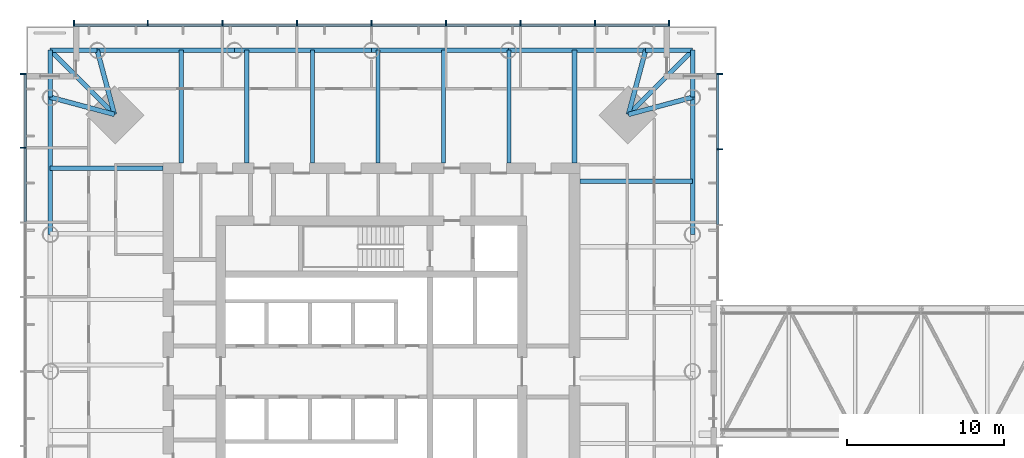
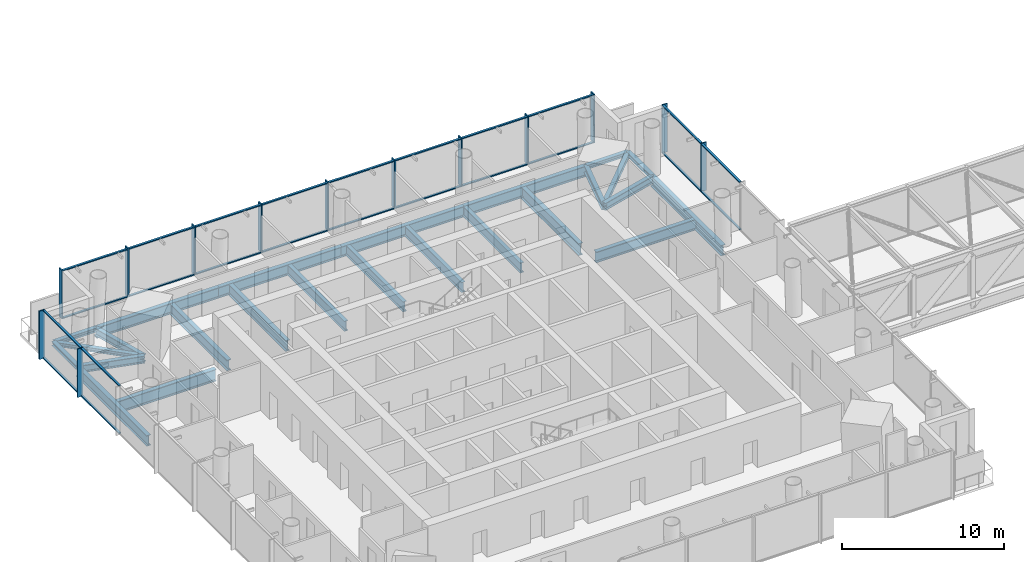
# One storey, part 7 of 19: 37 members, 25 beams, 3 elements without a shape of their own.
"""IFC4 building model written with IfcOpenShell, lengths in metres."""

from ifc_helpers import new_model, si_unit, direction, frame, origin, origin_2d, place, context, subcontext, project, spatial, rectangle, i_section, extrude, material, material_profile, profile_set, type_object, element, aggregate, save


model = new_model("IFC4")

# Units and contexts
model_context = context("Model", 3, precision=1e-05, world=origin(), true_north=direction((0.0, 1.0)))
body_context = subcontext(model_context, "Body", "Model", "MODEL_VIEW")
ifc_project = project(units=[si_unit("LENGTHUNIT", "METRE"), si_unit("AREAUNIT", "SQUARE_METRE"), si_unit("VOLUMEUNIT", "CUBIC_METRE"), si_unit("PLANEANGLEUNIT", "RADIAN"), si_unit("MASSUNIT", "GRAM", prefix="KILO")], contexts=[model_context])

# Site, building, storey
site_placement = place(None, origin())
site = spatial("IfcSite", under=ifc_project, at=site_placement, CompositionType="ELEMENT")
building_placement = place(site_placement, origin())
building = spatial("IfcBuilding", under=site, at=building_placement, Name="Ostroluk Exchange", CompositionType="ELEMENT")
storey_placement = place(building_placement, frame((0.0, 0.0, 131.199951171875)))
storey = spatial("IfcBuildingStorey", under=building, at=storey_placement, Name="L33", CompositionType="ELEMENT", Elevation=131.199951171875)

# Beams
ifc_material_1 = material(Name="Steel S355", Category="steel")
ifc_material_profile_1 = material_profile(ifc_material_1, i_section(OverallWidth=0.300048828125, OverallDepth=0.300048828125, WebThickness=0.010986328125, FlangeThickness=0.01904296875, FilletRadius=0.027099609375, at=origin_2d()), Name="HEB 300")
ifc_profile_set_1 = profile_set([ifc_material_profile_1], Name="Steel S355")
beam_type_1 = type_object("IfcBeamType", Name="Balcony beam HEB 300", PredefinedType="BEAM", material=ifc_profile_set_1)
for number, where, z_axis, x_axis, name in (
    (1, (65.478515625, 63.478515625, -0.329833984375), (0.0, 1.0, 0.0), (-1.0, 0.0, 0.0), "T1 east balcony beam a"),
    (2, (62.478515625, 66.478515625, -0.329833984375), (1.0, 0.0, 0.0), (0.0, 1.0, 0.0), "T1 east balcony beam b"),
):
    element("IfcBeam", number, at=place(storey_placement, frame(where, z_axis=z_axis, x_axis=x_axis)), inside=storey, type_object=beam_type_1, Name=name, PredefinedType="BEAM", context=body_context, shape_type="SweptSolid", body=[
        extrude(i_section(OverallWidth=0.300048828125, OverallDepth=0.300048828125, WebThickness=0.010986328125, FlangeThickness=0.01904296875, FilletRadius=0.027099609375, at=origin_2d()), origin(), (0.0, 0.0, 1.0), 3.0),
    ])
beam_1_placement = place(storey_placement, frame((61.378662109375, 62.378662109375, -0.329833984375), z_axis=(0.707106781187, 0.707106781187, 0.0), x_axis=(-0.707106781187, 0.707106781187, 0.0)))
element("IfcBeam", 3, at=beam_1_placement, inside=storey, type_object=beam_type_1, Name="T1 east balcony beam c", PredefinedType="BEAM", context=body_context, shape_type="SweptSolid", body=[
    extrude(i_section(OverallWidth=0.300048828125, OverallDepth=0.300048828125, WebThickness=0.010986328125, FlangeThickness=0.01904296875, FilletRadius=0.027099609375, at=origin_2d()), origin(), (0.0, 0.0, 1.0), 5.798095703125),
])
for number, where, z_axis, x_axis, name in (
    (4, (27.521484375, 66.478515625, -0.329833984375), (-1.0, 0.0, 0.0), (0.0, -1.0, 0.0), "T1 north balcony beam a"),
    (5, (24.521484375, 63.478515625, -0.329833984375), (0.0, 1.0, 0.0), (-1.0, 0.0, 0.0), "T1 north balcony beam b"),
):
    element("IfcBeam", number, at=place(storey_placement, frame(where, z_axis=z_axis, x_axis=x_axis)), inside=storey, type_object=beam_type_1, Name=name, PredefinedType="BEAM", context=body_context, shape_type="SweptSolid", body=[
        extrude(i_section(OverallWidth=0.300048828125, OverallDepth=0.300048828125, WebThickness=0.010986328125, FlangeThickness=0.01904296875, FilletRadius=0.027099609375, at=origin_2d()), origin(), (0.0, 0.0, 1.0), 3.0),
    ])
beam_2_placement = place(storey_placement, frame((28.621337890625, 62.378662109375, -0.329833984375), z_axis=(-0.707106781187, 0.707106781187, 0.0), x_axis=(-0.707106781187, -0.707106781187, 0.0)))
element("IfcBeam", 6, at=beam_2_placement, inside=storey, type_object=beam_type_1, Name="T1 north balcony beam c", PredefinedType="BEAM", context=body_context, shape_type="SweptSolid", body=[
    extrude(i_section(OverallWidth=0.300048828125, OverallDepth=0.300048828125, WebThickness=0.010986328125, FlangeThickness=0.01904296875, FilletRadius=0.027099609375, at=origin_2d()), origin(), (0.0, 0.0, 1.0), 5.798095703125),
])
ifc_material_2 = material(Name="Steel S355", Category="steel")
ifc_material_profile_2 = material_profile(ifc_material_2, i_section(OverallWidth=0.300048828125, OverallDepth=0.550048828125, WebThickness=0.014892578125, FlangeThickness=0.029052734375, FilletRadius=0.027099609375, at=origin_2d()), Name="HEB 550")
ifc_profile_set_2 = profile_set([ifc_material_profile_2], Name="Steel S355")
beam_type_2 = type_object("IfcBeamType", Name="Corner edge beam HEB 550", PredefinedType="SPANDREL", material=ifc_profile_set_2)
for number, where, z_axis, x_axis, name in (
    (7, (61.378662109375, 62.378662109375, -0.454833984375), (0.965849156574, 0.259105011038, 0.0), (-0.259105011038, 0.965849156574, 0.0), "T1 east corner edge beam a"),
    (8, (61.378662109375, 62.378662109375, -0.454833984375), (0.259105011038, 0.965849156574, 0.0), (-0.965849156574, 0.259105011038, 0.0), "T1 east corner edge beam b"),
    (9, (28.621337890625, 62.378662109375, -0.454833984375), (-0.259105011038, 0.965849156574, 0.0), (-0.965849156574, -0.259105011038, 0.0), "T1 north corner edge beam a"),
    (10, (28.621337890625, 62.378662109375, -0.454833984375), (-0.965849156574, 0.259105011038, 0.0), (-0.259105011038, -0.965849156574, 0.0), "T1 north corner edge beam b"),
):
    element("IfcBeam", number, at=place(storey_placement, frame(where, z_axis=z_axis, x_axis=x_axis)), inside=storey, type_object=beam_type_2, Name=name, PredefinedType="SPANDREL", context=body_context, shape_type="SweptSolid", body=[
        extrude(i_section(OverallWidth=0.300048828125, OverallDepth=0.550048828125, WebThickness=0.014892578125, FlangeThickness=0.029052734375, FilletRadius=0.027099609375, at=origin_2d()), origin(), (0.0, 0.0, 1.0), 4.244873046875),
    ])
ifc_material_3 = material(Name="Steel S355", Category="steel")
ifc_material_profile_3 = material_profile(ifc_material_3, i_section(OverallWidth=0.302978515625, OverallDepth=0.81396484375, WebThickness=0.02099609375, FlangeThickness=0.0400390625, FilletRadius=0.030029296875, at=origin_2d()), Name="HEM 800")
ifc_profile_set_3 = profile_set([ifc_material_profile_3], Name="Steel S355")
beam_type_3 = type_object("IfcBeamType", Name="Floor beam HEM 800", PredefinedType="BEAM", material=ifc_profile_set_3)
for number, where, z_axis, x_axis, name in (
    (11, (58.300048828125, 58.121337890625, -0.5869140625), (1.0, 0.0, 0.0), (0.0, 1.0, 0.0), "T1 east floor beam 6"),
    (12, (37.05712890625, 59.300048828125, -0.5869140625), (0.0, 1.0, 0.0), (-1.0, 0.0, 0.0), "T1 north floor beam 5"),
    (13, (32.878662109375, 59.300048828125, -0.5869140625), (0.0, 1.0, 0.0), (-1.0, 0.0, 0.0), "T1 north floor beam 6"),
):
    element("IfcBeam", number, at=place(storey_placement, frame(where, z_axis=z_axis, x_axis=x_axis)), inside=storey, type_object=beam_type_3, Name=name, PredefinedType="BEAM", context=body_context, shape_type="SweptSolid", body=[
        extrude(i_section(OverallWidth=0.302978515625, OverallDepth=0.81396484375, WebThickness=0.02099609375, FlangeThickness=0.0400390625, FilletRadius=0.030029296875, at=origin_2d()), origin(), (0.0, 0.0, 1.0), 7.178466796875),
    ])
ifc_material_4 = material(Name="Steel S355", Category="steel")
ifc_material_profile_4 = material_profile(ifc_material_4, i_section(OverallWidth=0.26708984375, OverallDepth=0.761962890625, WebThickness=0.014404296875, FlangeThickness=0.021484375, FilletRadius=0.01708984375, at=origin_2d()), Name="IPE 750x173")
ifc_profile_set_4 = profile_set([ifc_material_profile_4], Name="Steel S355")
beam_type_4 = type_object("IfcBeamType", Name="Floor beam IPE 750x173", PredefinedType="BEAM", material=ifc_profile_set_4)
for number, where, z_axis, x_axis, name in (
    (14, (53.771484375, 59.300048828125, -0.56103515625), (0.0, 1.0, 0.0), (-1.0, 0.0, 0.0), "T1 north floor beam 1"),
    (15, (49.5927734375, 59.300048828125, -0.56103515625), (0.0, 1.0, 0.0), (-1.0, 0.0, 0.0), "T1 north floor beam 2"),
    (16, (45.414306640625, 59.300048828125, -0.56103515625), (0.0, 1.0, 0.0), (-1.0, 0.0, 0.0), "T1 north floor beam 3"),
    (17, (41.235595703125, 59.300048828125, -0.56103515625), (0.0, 1.0, 0.0), (-1.0, 0.0, 0.0), "T1 north floor beam 4"),
):
    element("IfcBeam", number, at=place(storey_placement, frame(where, z_axis=z_axis, x_axis=x_axis)), inside=storey, type_object=beam_type_4, Name=name, PredefinedType="BEAM", context=body_context, shape_type="SweptSolid", body=[
        extrude(i_section(OverallWidth=0.26708984375, OverallDepth=0.761962890625, WebThickness=0.014404296875, FlangeThickness=0.021484375, FilletRadius=0.01708984375, at=origin_2d()), origin(), (0.0, 0.0, 1.0), 7.178466796875),
    ])
ifc_material_5 = material(Name="Steel S355", Category="steel")
ifc_material_profile_5 = material_profile(ifc_material_5, i_section(OverallWidth=0.300048828125, OverallDepth=0.89990234375, WebThickness=0.0185546875, FlangeThickness=0.034912109375, FilletRadius=0.030029296875, at=origin_2d()), Name="HEB 900")
ifc_profile_set_5 = profile_set([ifc_material_profile_5], Name="Steel S355")
beam_type_5 = type_object("IfcBeamType", Name="Girder HEB 900", PredefinedType="BEAM", material=ifc_profile_set_5)
for number, where, z_axis, x_axis, name in (
    (18, (57.949951171875, 59.300048828125, -0.6298828125), (0.0, 1.0, 0.0), (-1.0, 0.0, 0.0), "T1 east girder"),
    (19, (31.699951171875, 58.949951171875, -0.6298828125), (-1.0, 0.0, 0.0), (0.0, -1.0, 0.0), "T1 north girder"),
):
    element("IfcBeam", number, at=place(storey_placement, frame(where, z_axis=z_axis, x_axis=x_axis)), inside=storey, type_object=beam_type_5, Name=name, PredefinedType="BEAM", context=body_context, shape_type="SweptSolid", body=[
        extrude(i_section(OverallWidth=0.300048828125, OverallDepth=0.89990234375, WebThickness=0.0185546875, FlangeThickness=0.034912109375, FilletRadius=0.030029296875, at=origin_2d()), origin(), (0.0, 0.0, 1.0), 7.178466796875),
    ])
ifc_material_6 = material(Name="Steel S355", Category="steel")
ifc_material_profile_6 = material_profile(ifc_material_6, i_section(OverallWidth=0.300048828125, OverallDepth=0.800048828125, WebThickness=0.017578125, FlangeThickness=0.032958984375, FilletRadius=0.030029296875, at=origin_2d()), Name="HEB 800")
ifc_profile_set_6 = profile_set([ifc_material_profile_6], Name="Steel S355")
beam_type_6 = type_object("IfcBeamType", Name="Moment-connected edge beam HEB 800", PredefinedType="SPANDREL", material=ifc_profile_set_6)
for number, where, z_axis, x_axis, name in (
    (20, (65.478515625, 54.7392578125, -0.579833984375), (0.0, 1.0, 0.0), (-1.0, 0.0, 0.0), "T1 east edge beam 4"),
    (21, (62.478515625, 66.478515625, -0.579833984375), (-1.0, 0.0, 0.0), (0.0, -1.0, 0.0), "T1 north edge beam 1"),
    (22, (53.7392578125, 66.478515625, -0.579833984375), (-1.0, 0.0, 0.0), (0.0, -1.0, 0.0), "T1 north edge beam 2"),
    (23, (45.0, 66.478515625, -0.579833984375), (-1.0, 0.0, 0.0), (0.0, -1.0, 0.0), "T1 north edge beam 3"),
    (24, (36.2607421875, 66.478515625, -0.579833984375), (-1.0, 0.0, 0.0), (0.0, -1.0, 0.0), "T1 north edge beam 4"),
    (25, (24.521484375, 63.478515625, -0.579833984375), (0.0, -1.0, 0.0), (1.0, 0.0, 0.0), "T1 west edge beam 1"),
):
    element("IfcBeam", number, at=place(storey_placement, frame(where, z_axis=z_axis, x_axis=x_axis)), inside=storey, type_object=beam_type_6, Name=name, PredefinedType="SPANDREL", context=body_context, shape_type="SweptSolid", body=[
        extrude(i_section(OverallWidth=0.300048828125, OverallDepth=0.800048828125, WebThickness=0.017578125, FlangeThickness=0.032958984375, FilletRadius=0.030029296875, at=origin_2d()), origin(), (0.0, 0.0, 1.0), 8.7392578125),
    ])

# Curtain wall, members
ifc_material_7 = material(Name="Laminated clear glass", Category="glass")
curtain_wall_type = type_object("IfcCurtainWallType", Name="Office tower facade", PredefinedType="USERDEFINED", material=ifc_material_7)
curtain_wall_1_placement = place(storey_placement, origin())
curtain_wall_1 = element("IfcCurtainWall", 26, at=curtain_wall_1_placement, inside=storey, type_object=curtain_wall_type, Name="Office tower east facade L33 part 2", ObjectType="UNITISED CURTAIN WALL", PredefinedType="USERDEFINED")
ifc_material_8 = material(Name="Aluminium mullion", Category="aluminium")
ifc_material_profile_7 = material_profile(ifc_material_8, rectangle(XDim=0.14990234375, YDim=0.080078125, at=origin_2d()), Name="Sill transom 80 x 150")
ifc_profile_set_7 = profile_set([ifc_material_profile_7], Name="Aluminium mullion")
member_type_1 = type_object("IfcMemberType", Name="Sill transom 80 x 150", PredefinedType="USERDEFINED", material=ifc_profile_set_7)
member_1_placement = place(storey_placement, frame((67.074951171875, 55.373291015625, 0.0400390625), z_axis=(0.0, 1.0, 0.0), x_axis=(-1.0, 0.0, 0.0)))
member_1 = element("IfcMember", 27, at=member_1_placement, type_object=member_type_1, Name="CW-O1 transom 2.1", ObjectType="TRANSOM", PredefinedType="USERDEFINED", context=body_context, shape_type="SweptSolid", body=[
    extrude(rectangle(XDim=0.14990234375, YDim=0.080078125, at=origin_2d()), origin(), (0.0, 0.0, 1.0), 4.75341796875),
])
member_2_placement = place(storey_placement, frame((67.074951171875, 55.373291015625, 3.610107421875), z_axis=(0.0, 1.0, 0.0), x_axis=(-1.0, 0.0, 0.0)))
member_2 = element("IfcMember", 28, at=member_2_placement, type_object=member_type_1, Name="CW-O1 transom 2.2", ObjectType="TRANSOM", PredefinedType="USERDEFINED", context=body_context, shape_type="SweptSolid", body=[
    extrude(rectangle(XDim=0.14990234375, YDim=0.080078125, at=origin_2d()), origin(), (0.0, 0.0, 1.0), 4.75341796875),
])
member_3_placement = place(storey_placement, frame((67.074951171875, 60.206787109375, 0.0400390625), z_axis=(0.0, 1.0, 0.0), x_axis=(-1.0, 0.0, 0.0)))
member_3 = element("IfcMember", 29, at=member_3_placement, type_object=member_type_1, Name="CW-O1 transom 3.1", ObjectType="TRANSOM", PredefinedType="USERDEFINED", context=body_context, shape_type="SweptSolid", body=[
    extrude(rectangle(XDim=0.14990234375, YDim=0.080078125, at=origin_2d()), origin(), (0.0, 0.0, 1.0), 4.713134765625),
])
member_4_placement = place(storey_placement, frame((67.074951171875, 60.206787109375, 3.610107421875), z_axis=(0.0, 1.0, 0.0), x_axis=(-1.0, 0.0, 0.0)))
member_4 = element("IfcMember", 30, at=member_4_placement, type_object=member_type_1, Name="CW-O1 transom 3.2", ObjectType="TRANSOM", PredefinedType="USERDEFINED", context=body_context, shape_type="SweptSolid", body=[
    extrude(rectangle(XDim=0.14990234375, YDim=0.080078125, at=origin_2d()), origin(), (0.0, 0.0, 1.0), 4.713134765625),
])

curtain_wall_2_placement = place(storey_placement, origin())
curtain_wall_2 = element("IfcCurtainWall", 31, at=curtain_wall_2_placement, inside=storey, type_object=curtain_wall_type, Name="Office tower north facade L33", ObjectType="UNITISED CURTAIN WALL", PredefinedType="USERDEFINED")
member_5_placement = place(storey_placement, frame((63.919921875, 68.074951171875, 0.0400390625), z_axis=(-1.0, 0.0, 0.0), x_axis=(0.0, -1.0, 0.0)))
member_5 = element("IfcMember", 32, at=member_5_placement, type_object=member_type_1, Name="CW-O1 transom 1.1", ObjectType="TRANSOM", PredefinedType="USERDEFINED", context=body_context, shape_type="SweptSolid", body=[
    extrude(rectangle(XDim=0.14990234375, YDim=0.080078125, at=origin_2d()), origin(), (0.0, 0.0, 1.0), 4.6298828125),
])
member_6_placement = place(storey_placement, frame((63.919921875, 68.074951171875, 3.610107421875), z_axis=(-1.0, 0.0, 0.0), x_axis=(0.0, -1.0, 0.0)))
member_6 = element("IfcMember", 33, at=member_6_placement, type_object=member_type_1, Name="CW-O1 transom 1.2", ObjectType="TRANSOM", PredefinedType="USERDEFINED", context=body_context, shape_type="SweptSolid", body=[
    extrude(rectangle(XDim=0.14990234375, YDim=0.080078125, at=origin_2d()), origin(), (0.0, 0.0, 1.0), 4.6298828125),
])
member_7_placement = place(storey_placement, frame((59.2099609375, 68.074951171875, 0.0400390625), z_axis=(-1.0, 0.0, 0.0), x_axis=(0.0, -1.0, 0.0)))
member_7 = element("IfcMember", 34, at=member_7_placement, type_object=member_type_1, Name="CW-O1 transom 2.1", ObjectType="TRANSOM", PredefinedType="USERDEFINED", context=body_context, shape_type="SweptSolid", body=[
    extrude(rectangle(XDim=0.14990234375, YDim=0.080078125, at=origin_2d()), origin(), (0.0, 0.0, 1.0), 4.669921875),
])
member_8_placement = place(storey_placement, frame((59.2099609375, 68.074951171875, 3.610107421875), z_axis=(-1.0, 0.0, 0.0), x_axis=(0.0, -1.0, 0.0)))
member_8 = element("IfcMember", 35, at=member_8_placement, type_object=member_type_1, Name="CW-O1 transom 2.2", ObjectType="TRANSOM", PredefinedType="USERDEFINED", context=body_context, shape_type="SweptSolid", body=[
    extrude(rectangle(XDim=0.14990234375, YDim=0.080078125, at=origin_2d()), origin(), (0.0, 0.0, 1.0), 4.669921875),
])
member_9_placement = place(storey_placement, frame((54.4599609375, 68.074951171875, 0.0400390625), z_axis=(-1.0, 0.0, 0.0), x_axis=(0.0, -1.0, 0.0)))
member_9 = element("IfcMember", 36, at=member_9_placement, type_object=member_type_1, Name="CW-O1 transom 3.1", ObjectType="TRANSOM", PredefinedType="USERDEFINED", context=body_context, shape_type="SweptSolid", body=[
    extrude(rectangle(XDim=0.14990234375, YDim=0.080078125, at=origin_2d()), origin(), (0.0, 0.0, 1.0), 4.669921875),
])
member_10_placement = place(storey_placement, frame((54.4599609375, 68.074951171875, 3.610107421875), z_axis=(-1.0, 0.0, 0.0), x_axis=(0.0, -1.0, 0.0)))
member_10 = element("IfcMember", 37, at=member_10_placement, type_object=member_type_1, Name="CW-O1 transom 3.2", ObjectType="TRANSOM", PredefinedType="USERDEFINED", context=body_context, shape_type="SweptSolid", body=[
    extrude(rectangle(XDim=0.14990234375, YDim=0.080078125, at=origin_2d()), origin(), (0.0, 0.0, 1.0), 4.669921875),
])
member_11_placement = place(storey_placement, frame((49.7099609375, 68.074951171875, 0.0400390625), z_axis=(-1.0, 0.0, 0.0), x_axis=(0.0, -1.0, 0.0)))
member_11 = element("IfcMember", 38, at=member_11_placement, type_object=member_type_1, Name="CW-O1 transom 4.1", ObjectType="TRANSOM", PredefinedType="USERDEFINED", context=body_context, shape_type="SweptSolid", body=[
    extrude(rectangle(XDim=0.14990234375, YDim=0.080078125, at=origin_2d()), origin(), (0.0, 0.0, 1.0), 4.669921875),
])
member_12_placement = place(storey_placement, frame((49.7099609375, 68.074951171875, 3.610107421875), z_axis=(-1.0, 0.0, 0.0), x_axis=(0.0, -1.0, 0.0)))
member_12 = element("IfcMember", 39, at=member_12_placement, type_object=member_type_1, Name="CW-O1 transom 4.2", ObjectType="TRANSOM", PredefinedType="USERDEFINED", context=body_context, shape_type="SweptSolid", body=[
    extrude(rectangle(XDim=0.14990234375, YDim=0.080078125, at=origin_2d()), origin(), (0.0, 0.0, 1.0), 4.669921875),
])
member_13_placement = place(storey_placement, frame((44.9599609375, 68.074951171875, 0.0400390625), z_axis=(-1.0, 0.0, 0.0), x_axis=(0.0, -1.0, 0.0)))
member_13 = element("IfcMember", 40, at=member_13_placement, type_object=member_type_1, Name="CW-O1 transom 5.1", ObjectType="TRANSOM", PredefinedType="USERDEFINED", context=body_context, shape_type="SweptSolid", body=[
    extrude(rectangle(XDim=0.14990234375, YDim=0.080078125, at=origin_2d()), origin(), (0.0, 0.0, 1.0), 4.669921875),
])
member_14_placement = place(storey_placement, frame((44.9599609375, 68.074951171875, 3.610107421875), z_axis=(-1.0, 0.0, 0.0), x_axis=(0.0, -1.0, 0.0)))
member_14 = element("IfcMember", 41, at=member_14_placement, type_object=member_type_1, Name="CW-O1 transom 5.2", ObjectType="TRANSOM", PredefinedType="USERDEFINED", context=body_context, shape_type="SweptSolid", body=[
    extrude(rectangle(XDim=0.14990234375, YDim=0.080078125, at=origin_2d()), origin(), (0.0, 0.0, 1.0), 4.669921875),
])
member_15_placement = place(storey_placement, frame((40.2099609375, 68.074951171875, 0.0400390625), z_axis=(-1.0, 0.0, 0.0), x_axis=(0.0, -1.0, 0.0)))
member_15 = element("IfcMember", 42, at=member_15_placement, type_object=member_type_1, Name="CW-O1 transom 6.1", ObjectType="TRANSOM", PredefinedType="USERDEFINED", context=body_context, shape_type="SweptSolid", body=[
    extrude(rectangle(XDim=0.14990234375, YDim=0.080078125, at=origin_2d()), origin(), (0.0, 0.0, 1.0), 4.669921875),
])
member_16_placement = place(storey_placement, frame((40.2099609375, 68.074951171875, 3.610107421875), z_axis=(-1.0, 0.0, 0.0), x_axis=(0.0, -1.0, 0.0)))
member_16 = element("IfcMember", 43, at=member_16_placement, type_object=member_type_1, Name="CW-O1 transom 6.2", ObjectType="TRANSOM", PredefinedType="USERDEFINED", context=body_context, shape_type="SweptSolid", body=[
    extrude(rectangle(XDim=0.14990234375, YDim=0.080078125, at=origin_2d()), origin(), (0.0, 0.0, 1.0), 4.669921875),
])
member_17_placement = place(storey_placement, frame((35.4599609375, 68.074951171875, 0.0400390625), z_axis=(-1.0, 0.0, 0.0), x_axis=(0.0, -1.0, 0.0)))
member_17 = element("IfcMember", 44, at=member_17_placement, type_object=member_type_1, Name="CW-O1 transom 7.1", ObjectType="TRANSOM", PredefinedType="USERDEFINED", context=body_context, shape_type="SweptSolid", body=[
    extrude(rectangle(XDim=0.14990234375, YDim=0.080078125, at=origin_2d()), origin(), (0.0, 0.0, 1.0), 4.669921875),
])
member_18_placement = place(storey_placement, frame((35.4599609375, 68.074951171875, 3.610107421875), z_axis=(-1.0, 0.0, 0.0), x_axis=(0.0, -1.0, 0.0)))
member_18 = element("IfcMember", 45, at=member_18_placement, type_object=member_type_1, Name="CW-O1 transom 7.2", ObjectType="TRANSOM", PredefinedType="USERDEFINED", context=body_context, shape_type="SweptSolid", body=[
    extrude(rectangle(XDim=0.14990234375, YDim=0.080078125, at=origin_2d()), origin(), (0.0, 0.0, 1.0), 4.669921875),
])
member_19_placement = place(storey_placement, frame((30.7099609375, 68.074951171875, 0.0400390625), z_axis=(-1.0, 0.0, 0.0), x_axis=(0.0, -1.0, 0.0)))
member_19 = element("IfcMember", 46, at=member_19_placement, type_object=member_type_1, Name="CW-O1 transom 8.1", ObjectType="TRANSOM", PredefinedType="USERDEFINED", context=body_context, shape_type="SweptSolid", body=[
    extrude(rectangle(XDim=0.14990234375, YDim=0.080078125, at=origin_2d()), origin(), (0.0, 0.0, 1.0), 4.6298828125),
])
member_20_placement = place(storey_placement, frame((30.7099609375, 68.074951171875, 3.610107421875), z_axis=(-1.0, 0.0, 0.0), x_axis=(0.0, -1.0, 0.0)))
member_20 = element("IfcMember", 47, at=member_20_placement, type_object=member_type_1, Name="CW-O1 transom 8.2", ObjectType="TRANSOM", PredefinedType="USERDEFINED", context=body_context, shape_type="SweptSolid", body=[
    extrude(rectangle(XDim=0.14990234375, YDim=0.080078125, at=origin_2d()), origin(), (0.0, 0.0, 1.0), 4.6298828125),
])

curtain_wall_3_placement = place(storey_placement, origin())
curtain_wall_3 = element("IfcCurtainWall", 48, at=curtain_wall_3_placement, inside=storey, type_object=curtain_wall_type, Name="Office tower west facade L33", ObjectType="UNITISED CURTAIN WALL", PredefinedType="USERDEFINED")
member_21_placement = place(storey_placement, frame((22.925048828125, 64.919921875, 0.0400390625), z_axis=(0.0, -1.0, 0.0), x_axis=(1.0, 0.0, 0.0)))
member_21 = element("IfcMember", 49, at=member_21_placement, type_object=member_type_1, Name="CW-O1 transom 1.1", ObjectType="TRANSOM", PredefinedType="USERDEFINED", context=body_context, shape_type="SweptSolid", body=[
    extrude(rectangle(XDim=0.14990234375, YDim=0.080078125, at=origin_2d()), origin(), (0.0, 0.0, 1.0), 4.6298828125),
])
member_22_placement = place(storey_placement, frame((22.925048828125, 64.919921875, 3.610107421875), z_axis=(0.0, -1.0, 0.0), x_axis=(1.0, 0.0, 0.0)))
member_22 = element("IfcMember", 50, at=member_22_placement, type_object=member_type_1, Name="CW-O1 transom 1.2", ObjectType="TRANSOM", PredefinedType="USERDEFINED", context=body_context, shape_type="SweptSolid", body=[
    extrude(rectangle(XDim=0.14990234375, YDim=0.080078125, at=origin_2d()), origin(), (0.0, 0.0, 1.0), 4.6298828125),
])
member_23_placement = place(storey_placement, frame((22.925048828125, 60.2099609375, 0.0400390625), z_axis=(0.0, -1.0, 0.0), x_axis=(1.0, 0.0, 0.0)))
member_23 = element("IfcMember", 51, at=member_23_placement, type_object=member_type_1, Name="CW-O1 transom 2.1", ObjectType="TRANSOM", PredefinedType="USERDEFINED", context=body_context, shape_type="SweptSolid", body=[
    extrude(rectangle(XDim=0.14990234375, YDim=0.080078125, at=origin_2d()), origin(), (0.0, 0.0, 1.0), 4.669921875),
])
member_24_placement = place(storey_placement, frame((22.925048828125, 60.2099609375, 3.610107421875), z_axis=(0.0, -1.0, 0.0), x_axis=(1.0, 0.0, 0.0)))
member_24 = element("IfcMember", 52, at=member_24_placement, type_object=member_type_1, Name="CW-O1 transom 2.2", ObjectType="TRANSOM", PredefinedType="USERDEFINED", context=body_context, shape_type="SweptSolid", body=[
    extrude(rectangle(XDim=0.14990234375, YDim=0.080078125, at=origin_2d()), origin(), (0.0, 0.0, 1.0), 4.669921875),
])

# Member
ifc_material_9 = material(Name="Aluminium mullion with limestone facing", Category="masonry")
ifc_material_profile_8 = material_profile(ifc_material_9, rectangle(XDim=0.39990234375, YDim=0.080078125, at=origin_2d()), Name="Tracery mullion 80 x 400")
ifc_profile_set_8 = profile_set([ifc_material_profile_8], Name="Aluminium mullion with limestone facing")
member_type_2 = type_object("IfcMemberType", Name="Tracery mullion 80 x 400", PredefinedType="MULLION", material=ifc_profile_set_8)
member_25_placement = place(storey_placement, frame((67.199951171875, 60.166748046875, 0.0), z_axis=(0.0, 0.0, 1.0), x_axis=(-1.0, 0.0, 0.0)))
member_25 = element("IfcMember", 53, at=member_25_placement, type_object=member_type_2, Name="CW-O1 mullion 3", PredefinedType="MULLION", context=body_context, shape_type="SweptSolid", body=[
    extrude(rectangle(XDim=0.39990234375, YDim=0.080078125, at=origin_2d()), origin(), (0.0, 0.0, 1.0), 3.650146484375),
])

member_26_placement = place(storey_placement, frame((67.199951171875, 64.9599609375, 0.0), z_axis=(0.0, 0.0, 1.0), x_axis=(-1.0, 0.0, 0.0)))
member_26 = element("IfcMember", 54, at=member_26_placement, type_object=member_type_2, Name="CW-O1 mullion 4", PredefinedType="MULLION", context=body_context, shape_type="SweptSolid", body=[
    extrude(rectangle(XDim=0.39990234375, YDim=0.080078125, at=origin_2d()), origin(), (0.0, 0.0, 1.0), 3.650146484375),
])

aggregate(curtain_wall_1, [member_25, member_26, member_1, member_2, member_3, member_4])

member_27_placement = place(storey_placement, frame((63.9599609375, 68.199951171875, 0.0), z_axis=(0.0, 0.0, 1.0), x_axis=(0.0, -1.0, 0.0)))
member_27 = element("IfcMember", 55, at=member_27_placement, type_object=member_type_2, Name="CW-O1 mullion 1", PredefinedType="MULLION", context=body_context, shape_type="SweptSolid", body=[
    extrude(rectangle(XDim=0.39990234375, YDim=0.080078125, at=origin_2d()), origin(), (0.0, 0.0, 1.0), 3.650146484375),
])

member_28_placement = place(storey_placement, frame((59.25, 68.199951171875, 0.0), z_axis=(0.0, 0.0, 1.0), x_axis=(0.0, -1.0, 0.0)))
member_28 = element("IfcMember", 56, at=member_28_placement, type_object=member_type_2, Name="CW-O1 mullion 2", PredefinedType="MULLION", context=body_context, shape_type="SweptSolid", body=[
    extrude(rectangle(XDim=0.39990234375, YDim=0.080078125, at=origin_2d()), origin(), (0.0, 0.0, 1.0), 3.650146484375),
])

member_29_placement = place(storey_placement, frame((54.5, 68.199951171875, 0.0), z_axis=(0.0, 0.0, 1.0), x_axis=(0.0, -1.0, 0.0)))
member_29 = element("IfcMember", 57, at=member_29_placement, type_object=member_type_2, Name="CW-O1 mullion 3", PredefinedType="MULLION", context=body_context, shape_type="SweptSolid", body=[
    extrude(rectangle(XDim=0.39990234375, YDim=0.080078125, at=origin_2d()), origin(), (0.0, 0.0, 1.0), 3.650146484375),
])

member_30_placement = place(storey_placement, frame((49.75, 68.199951171875, 0.0), z_axis=(0.0, 0.0, 1.0), x_axis=(0.0, -1.0, 0.0)))
member_30 = element("IfcMember", 58, at=member_30_placement, type_object=member_type_2, Name="CW-O1 mullion 4", PredefinedType="MULLION", context=body_context, shape_type="SweptSolid", body=[
    extrude(rectangle(XDim=0.39990234375, YDim=0.080078125, at=origin_2d()), origin(), (0.0, 0.0, 1.0), 3.650146484375),
])

member_31_placement = place(storey_placement, frame((45.0, 68.199951171875, 0.0), z_axis=(0.0, 0.0, 1.0), x_axis=(0.0, -1.0, 0.0)))
member_31 = element("IfcMember", 59, at=member_31_placement, type_object=member_type_2, Name="CW-O1 mullion 5", PredefinedType="MULLION", context=body_context, shape_type="SweptSolid", body=[
    extrude(rectangle(XDim=0.39990234375, YDim=0.080078125, at=origin_2d()), origin(), (0.0, 0.0, 1.0), 3.650146484375),
])

member_32_placement = place(storey_placement, frame((40.25, 68.199951171875, 0.0), z_axis=(0.0, 0.0, 1.0), x_axis=(0.0, -1.0, 0.0)))
member_32 = element("IfcMember", 60, at=member_32_placement, type_object=member_type_2, Name="CW-O1 mullion 6", PredefinedType="MULLION", context=body_context, shape_type="SweptSolid", body=[
    extrude(rectangle(XDim=0.39990234375, YDim=0.080078125, at=origin_2d()), origin(), (0.0, 0.0, 1.0), 3.650146484375),
])

member_33_placement = place(storey_placement, frame((35.5, 68.199951171875, 0.0), z_axis=(0.0, 0.0, 1.0), x_axis=(0.0, -1.0, 0.0)))
member_33 = element("IfcMember", 61, at=member_33_placement, type_object=member_type_2, Name="CW-O1 mullion 7", PredefinedType="MULLION", context=body_context, shape_type="SweptSolid", body=[
    extrude(rectangle(XDim=0.39990234375, YDim=0.080078125, at=origin_2d()), origin(), (0.0, 0.0, 1.0), 3.650146484375),
])

member_34_placement = place(storey_placement, frame((30.75, 68.199951171875, 0.0), z_axis=(0.0, 0.0, 1.0), x_axis=(0.0, -1.0, 0.0)))
member_34 = element("IfcMember", 62, at=member_34_placement, type_object=member_type_2, Name="CW-O1 mullion 8", PredefinedType="MULLION", context=body_context, shape_type="SweptSolid", body=[
    extrude(rectangle(XDim=0.39990234375, YDim=0.080078125, at=origin_2d()), origin(), (0.0, 0.0, 1.0), 3.650146484375),
])

member_35_placement = place(storey_placement, frame((26.0400390625, 68.199951171875, 0.0), z_axis=(0.0, 0.0, 1.0), x_axis=(0.0, -1.0, 0.0)))
member_35 = element("IfcMember", 63, at=member_35_placement, type_object=member_type_2, Name="CW-O1 mullion 9", PredefinedType="MULLION", context=body_context, shape_type="SweptSolid", body=[
    extrude(rectangle(XDim=0.39990234375, YDim=0.080078125, at=origin_2d()), origin(), (0.0, 0.0, 1.0), 3.650146484375),
])

aggregate(curtain_wall_2, [member_27, member_28, member_29, member_30, member_31, member_32, member_33, member_34, member_35, member_5, member_6, member_7, member_8, member_9, member_10, member_11, member_12, member_13, member_14, member_15, member_16, member_17, member_18, member_19, member_20])

member_36_placement = place(storey_placement, frame((22.800048828125, 64.9599609375, 0.0), z_axis=(0.0, 0.0, 1.0), x_axis=(1.0, 0.0, 0.0)))
member_36 = element("IfcMember", 64, at=member_36_placement, type_object=member_type_2, Name="CW-O1 mullion 1", PredefinedType="MULLION", context=body_context, shape_type="SweptSolid", body=[
    extrude(rectangle(XDim=0.39990234375, YDim=0.080078125, at=origin_2d()), origin(), (0.0, 0.0, 1.0), 3.650146484375),
])

member_37_placement = place(storey_placement, frame((22.800048828125, 60.25, 0.0), z_axis=(0.0, 0.0, 1.0), x_axis=(1.0, 0.0, 0.0)))
member_37 = element("IfcMember", 65, at=member_37_placement, type_object=member_type_2, Name="CW-O1 mullion 2", PredefinedType="MULLION", context=body_context, shape_type="SweptSolid", body=[
    extrude(rectangle(XDim=0.39990234375, YDim=0.080078125, at=origin_2d()), origin(), (0.0, 0.0, 1.0), 3.650146484375),
])

aggregate(curtain_wall_3, [member_36, member_37, member_21, member_22, member_23, member_24])

save(model, "model.ifc")
